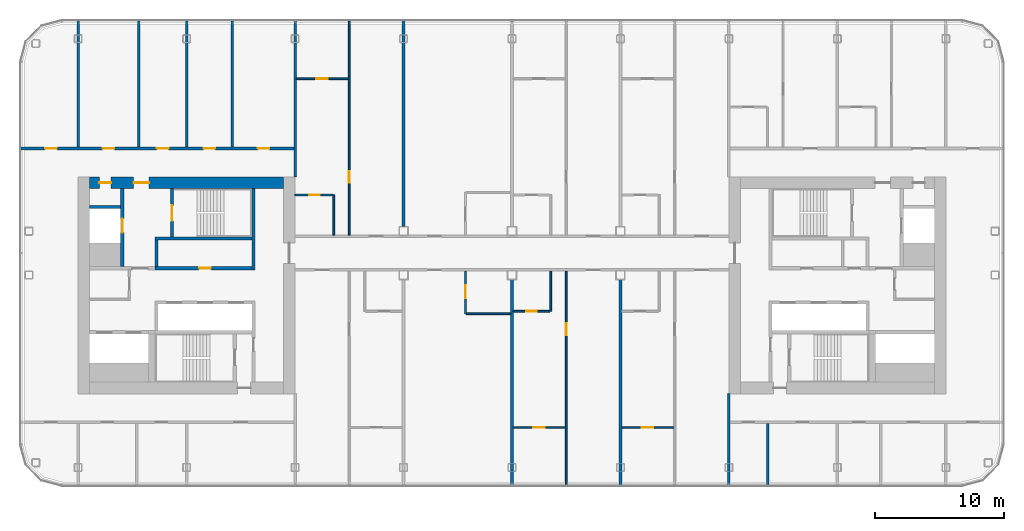
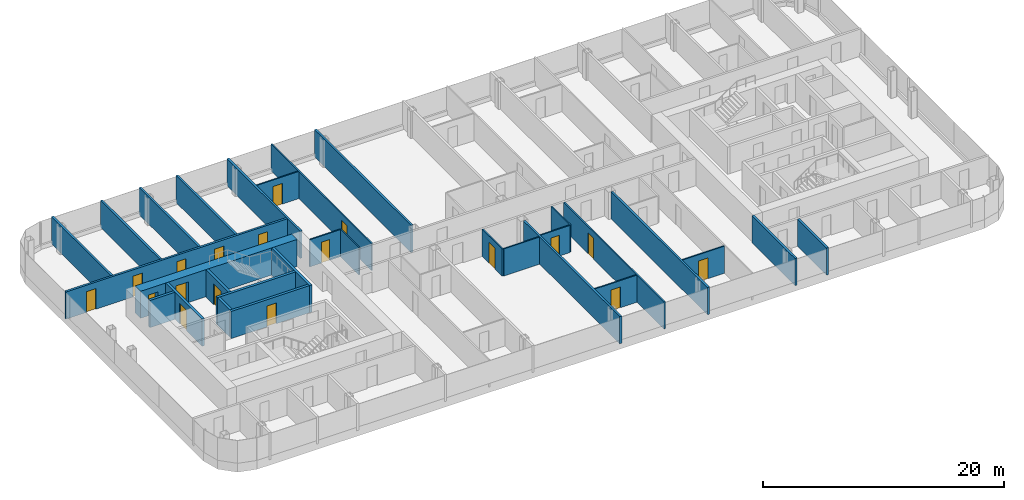
# One storey, part 14 of 26: 30 walls, 18 doors, 18 openings.
"""IFC4 building model written with IfcOpenShell, lengths in metres."""

from ifc_helpers import new_model, si_unit, direction, frame, frame_2d, origin, place, context, subcontext, project, spatial, rectangle, extrude, material, layer, layer_set, type_object, element, fill, save


model = new_model("IFC4")

# Units and contexts
model_context = context("Model", 3, precision=1e-05, world=origin(), true_north=direction((0.0, 1.0)))
body_context = subcontext(model_context, "Body", "Model", "MODEL_VIEW")
ifc_project = project(units=[si_unit("LENGTHUNIT", "METRE"), si_unit("AREAUNIT", "SQUARE_METRE"), si_unit("VOLUMEUNIT", "CUBIC_METRE"), si_unit("PLANEANGLEUNIT", "RADIAN"), si_unit("MASSUNIT", "GRAM", prefix="KILO")], contexts=[model_context])

# Site, building, storey
site_placement = place(None, origin())
site = spatial("IfcSite", under=ifc_project, at=site_placement, CompositionType="ELEMENT")
building_placement = place(site_placement, origin())
building = spatial("IfcBuilding", under=site, at=building_placement, Name="Hakoniwa Tower and Hamabe Station Hall", CompositionType="ELEMENT")
storey_placement = place(building_placement, frame((0.0, 0.0, 199.39990234375)))
storey = spatial("IfcBuildingStorey", under=building, at=storey_placement, Name="L56", CompositionType="ELEMENT", Elevation=199.39990234375)

# Wall
ifc_material_1 = material(Name="Gypsum board partition", Category="gypsum")
ifc_layer_1 = layer(ifc_material_1, 0.125)
ifc_layer_set_1 = layer_set([ifc_layer_1], Name="Bathroom Partition 125")
wall_type_1 = type_object("IfcWallType", Name="Bathroom Partition 125", PredefinedType="PARTITIONING", material=ifc_layer_set_1)
wall_1_placement = place(storey_placement, frame((-3.53759765625, -2.199951171875, 0.0), z_axis=(0.0, 0.0, 1.0), x_axis=(1.0, 0.0, 0.0)))
element("IfcWall", 1, at=wall_1_placement, inside=storey, type_object=wall_type_1, Name="GW-L56-006", PredefinedType="PARTITIONING", context=body_context, shape_type="SweptSolid", body=[
    extrude(rectangle(XDim=3.4375, YDim=0.125, at=frame_2d((1.71875, 0.0))), origin(), (0.0, 0.0, 1.0), 2.75),
])

# Wall, opening, door
wall_2_placement = place(storey_placement, frame((0.10009765625, -2.0, 0.0), z_axis=(0.0, 0.0, 1.0), x_axis=(1.0, 0.0, 0.0)))
wall_2 = element("IfcWall", 2, at=wall_2_placement, inside=storey, type_object=wall_type_1, Name="GW-L56-008", PredefinedType="PARTITIONING", context=body_context, shape_type="SweptSolid", body=[
    extrude(rectangle(XDim=2.83740234375, YDim=0.125, at=frame_2d((1.418701171875, 0.0))), origin(), (0.0, 0.0, 1.0), 2.75),
])
opening_1_placement = place(wall_2_placement, frame((1.0, 0.0, 0.0)))
opening_1 = element("IfcOpeningElement", 3, at=opening_1_placement, cuts=wall_2, Name="Opening GD-G4E0-14", PredefinedType="OPENING", context=body_context, shape_type="SweptSolid", body=[
    extrude(rectangle(XDim=0.800048828125, YDim=2.10009765625, at=frame_2d((0.39990234375, 1.050048828125))), frame((0.0, 0.072509765625, 0.0), z_axis=(0.0, -1.0, 0.0), x_axis=(1.0, 0.0, 0.0)), (0.0, 0.0, 1.0), 0.14501953125),
])
ifc_material_2 = material(Name="Timber door leaf", Category="wood")
door_type_1 = type_object("IfcDoorType", Name="Bathroom Door 800", OperationType="SINGLE_SWING_LEFT", PredefinedType="DOOR", material=ifc_material_2)
door_1_placement = place(opening_1_placement, origin())
door_1 = element("IfcDoor", 4, at=door_1_placement, inside=storey, type_object=door_type_1, Name="Door GD-G4E0-14", OperationType="SINGLE_SWING_LEFT", OverallHeight=2.10009765625, OverallWidth=0.800048828125, PredefinedType="DOOR", context=body_context, shape_type="SweptSolid", body=[
    extrude(rectangle(XDim=0.800048828125, YDim=2.10009765625, at=frame_2d((0.39990234375, 1.050048828125))), frame((0.0, 0.02490234375, 0.0), z_axis=(0.0, -1.0, 0.0), x_axis=(1.0, 0.0, 0.0)), (0.0, 0.0, 1.0), 0.050048828125),
])
fill(opening_1, door_1)

wall_3_placement = place(storey_placement, frame((-16.81005859375, 7.0, 0.0), z_axis=(0.0, 0.0, 1.0), x_axis=(1.0, 0.0, 0.0)))
wall_3 = element("IfcWall", 5, at=wall_3_placement, inside=storey, type_object=wall_type_1, Name="GW-L56-012", PredefinedType="PARTITIONING", context=body_context, shape_type="SweptSolid", body=[
    extrude(rectangle(XDim=2.947509765625, YDim=0.125, at=frame_2d((1.4736328125, 0.0))), origin(), (0.0, 0.0, 1.0), 2.75),
])
opening_2_placement = place(wall_3_placement, frame((1.110107421875, 0.0, 0.0)))
opening_2 = element("IfcOpeningElement", 6, at=opening_2_placement, cuts=wall_3, Name="Opening GD-G4E0-24", PredefinedType="OPENING", context=body_context, shape_type="SweptSolid", body=[
    extrude(rectangle(XDim=0.800048828125, YDim=2.10009765625, at=frame_2d((0.39990234375, 1.050048828125))), frame((0.0, 0.072509765625, 0.0), z_axis=(0.0, -1.0, 0.0), x_axis=(1.0, 0.0, 0.0)), (0.0, 0.0, 1.0), 0.14501953125),
])
door_2_placement = place(opening_2_placement, origin())
door_2 = element("IfcDoor", 7, at=door_2_placement, inside=storey, type_object=door_type_1, Name="Door GD-G4E0-24", OperationType="SINGLE_SWING_RIGHT", OverallHeight=2.10009765625, OverallWidth=0.800048828125, PredefinedType="DOOR", context=body_context, shape_type="SweptSolid", body=[
    extrude(rectangle(XDim=0.800048828125, YDim=2.10009765625, at=frame_2d((0.39990234375, 1.050048828125))), frame((0.0, 0.02490234375, 0.0), z_axis=(0.0, -1.0, 0.0), x_axis=(1.0, 0.0, 0.0)), (0.0, 0.0, 1.0), 0.050048828125),
])
fill(opening_2, door_2)

# Wall
wall_4_placement = place(storey_placement, frame((-13.800048828125, 3.89990234375, 0.0), z_axis=(0.0, 0.0, 1.0), x_axis=(0.0, 1.0, 0.0)))
element("IfcWall", 8, at=wall_4_placement, inside=storey, type_object=wall_type_1, Name="GW-L56-032", PredefinedType="PARTITIONING", context=body_context, shape_type="SweptSolid", body=[
    extrude(rectangle(XDim=3.10009765625, YDim=0.125, at=frame_2d((1.550048828125, 0.0))), origin(), (0.0, 0.0, 1.0), 2.75),
])

# Wall, opening, door
wall_5_placement = place(storey_placement, frame((-3.60009765625, -2.199951171875, 0.0), z_axis=(0.0, 0.0, 1.0), x_axis=(0.0, 1.0, 0.0)))
wall_5 = element("IfcWall", 9, at=wall_5_placement, inside=storey, type_object=wall_type_1, Name="GW-L56-038", PredefinedType="PARTITIONING", context=body_context, shape_type="SweptSolid", body=[
    extrude(rectangle(XDim=3.300048828125, YDim=0.125, at=frame_2d((1.64990234375, 0.0))), origin(), (0.0, 0.0, 1.0), 2.75),
])
opening_3_placement = place(wall_5_placement, frame((1.199951171875, 0.0, 0.0)))
opening_3 = element("IfcOpeningElement", 10, at=opening_3_placement, cuts=wall_5, Name="Opening GD-G4E0-42", PredefinedType="OPENING", context=body_context, shape_type="SweptSolid", body=[
    extrude(rectangle(XDim=1.0, YDim=2.10009765625, at=frame_2d((0.5, 1.050048828125))), frame((0.0, 0.072509765625, 0.0), z_axis=(0.0, -1.0, 0.0), x_axis=(1.0, 0.0, 0.0)), (0.0, 0.0, 1.0), 0.14501953125),
])
ifc_material_3 = material(Name="Timber door leaf", Category="wood")
door_type_2 = type_object("IfcDoorType", Name="Accessible Bathroom Door 1000", OperationType="SINGLE_SWING_LEFT", PredefinedType="DOOR", material=ifc_material_3)
door_3_placement = place(opening_3_placement, origin())
door_3 = element("IfcDoor", 11, at=door_3_placement, inside=storey, type_object=door_type_2, Name="Door GD-G4E0-42", OperationType="SINGLE_SWING_LEFT", OverallHeight=2.10009765625, OverallWidth=1.0, PredefinedType="DOOR", context=body_context, shape_type="SweptSolid", body=[
    extrude(rectangle(XDim=1.0, YDim=2.10009765625, at=frame_2d((0.5, 1.050048828125))), frame((0.0, 0.02490234375, 0.0), z_axis=(0.0, -1.0, 0.0), x_axis=(1.0, 0.0, 0.0)), (0.0, 0.0, 1.0), 0.050048828125),
])
fill(opening_3, door_3)

# Wall
wall_6_placement = place(storey_placement, frame((3.0, -2.0, 0.0), z_axis=(0.0, 0.0, 1.0), x_axis=(0.0, 1.0, 0.0)))
element("IfcWall", 12, at=wall_6_placement, inside=storey, type_object=wall_type_1, Name="GW-L56-042", PredefinedType="PARTITIONING", context=body_context, shape_type="SweptSolid", body=[
    extrude(rectangle(XDim=3.10009765625, YDim=0.125, at=frame_2d((1.550048828125, 0.0))), origin(), (0.0, 0.0, 1.0), 2.75),
])

# Wall, openings, doors
ifc_material_4 = material(Name="Concrete C60", Category="concrete")
ifc_layer_2 = layer(ifc_material_4, 0.89990234375)
ifc_layer_set_2 = layer_set([ifc_layer_2], Name="CORE WALL 900 C60")
wall_type_2 = type_object("IfcWallType", Name="CORE WALL 900 C60", PredefinedType="SHEAR", material=ifc_layer_set_2)
wall_7_placement = place(storey_placement, frame((-32.699951171875, 7.949951171875, 0.0), z_axis=(0.0, 0.0, 1.0), x_axis=(1.0, 0.0, 0.0)))
wall_7 = element("IfcWall", 13, at=wall_7_placement, inside=storey, type_object=wall_type_2, Name="Core wall NORTH west", PredefinedType="SHEAR", context=body_context, shape_type="SweptSolid", body=[
    extrude(rectangle(XDim=15.0, YDim=0.89990234375, at=frame_2d((7.5, 0.0))), origin(), (0.0, 0.0, 1.0), 2.75),
])
opening_4_placement = place(wall_7_placement, frame((3.39990234375, 0.0, 0.0)))
opening_4 = element("IfcOpeningElement", 14, at=opening_4_placement, cuts=wall_7, Name="Opening CD-W-FN1-12", PredefinedType="OPENING", context=body_context, shape_type="SweptSolid", body=[
    extrude(rectangle(XDim=1.199951171875, YDim=2.10009765625, at=frame_2d((0.60009765625, 1.050048828125))), frame((0.0, 0.4599609375, 0.0), z_axis=(0.0, -1.0, 0.0), x_axis=(1.0, 0.0, 0.0)), (0.0, 0.0, 1.0), 0.919921875),
])
opening_5_placement = place(wall_7_placement, frame((0.75, 0.0, 0.0)))
opening_5 = element("IfcOpeningElement", 15, at=opening_5_placement, cuts=wall_7, Name="Opening CD-W-FN2-9", PredefinedType="OPENING", context=body_context, shape_type="SweptSolid", body=[
    extrude(rectangle(XDim=0.89990234375, YDim=2.10009765625, at=frame_2d((0.449951171875, 1.050048828125))), frame((0.0, 0.4599609375, 0.0), z_axis=(0.0, -1.0, 0.0), x_axis=(1.0, 0.0, 0.0)), (0.0, 0.0, 1.0), 0.919921875),
])
ifc_material_5 = material(Name="Steel fire door", Category="steel")
door_type_3 = type_object("IfcDoorType", Name="CORE DOOR 1200 FD60", OperationType="DOUBLE_DOOR_SINGLE_SWING", PredefinedType="DOOR", material=ifc_material_5)
door_4_placement = place(opening_4_placement, origin())
door_4 = element("IfcDoor", 16, at=door_4_placement, inside=storey, type_object=door_type_3, Name="Stair vestibule door to the fire-fighting lobby", OperationType="DOUBLE_DOOR_SINGLE_SWING", OverallHeight=2.10009765625, OverallWidth=1.199951171875, PredefinedType="DOOR", context=body_context, shape_type="SweptSolid", body=[
    extrude(rectangle(XDim=1.199951171875, YDim=2.10009765625, at=frame_2d((0.60009765625, 1.050048828125))), frame((0.0, 0.02490234375, 0.0), z_axis=(0.0, -1.0, 0.0), x_axis=(1.0, 0.0, 0.0)), (0.0, 0.0, 1.0), 0.050048828125),
])
fill(opening_4, door_4)
ifc_material_6 = material(Name="Steel fire door", Category="steel")
door_type_4 = type_object("IfcDoorType", Name="CORE DOOR 900 FD30", OperationType="NOTDEFINED", PredefinedType="DOOR", material=ifc_material_6)
door_5_placement = place(opening_5_placement, origin())
door_5 = element("IfcDoor", 17, at=door_5_placement, inside=storey, type_object=door_type_4, Name="Riser access door", OperationType="SINGLE_SWING_RIGHT", OverallHeight=2.10009765625, OverallWidth=0.89990234375, PredefinedType="DOOR", context=body_context, shape_type="SweptSolid", body=[
    extrude(rectangle(XDim=0.89990234375, YDim=2.10009765625, at=frame_2d((0.449951171875, 1.050048828125))), frame((0.0, 0.02490234375, 0.0), z_axis=(0.0, -1.0, 0.0), x_axis=(1.0, 0.0, 0.0)), (0.0, 0.0, 1.0), 0.050048828125),
])
fill(opening_5, door_5)

# Wall
ifc_material_7 = material(Name="Concrete C60", Category="concrete")
ifc_layer_3 = layer(ifc_material_7, 0.25)
ifc_layer_set_3 = layer_set([ifc_layer_3], Name="CORE WEB WALL 250 C60")
wall_type_3 = type_object("IfcWallType", Name="CORE WEB WALL 250 C60", PredefinedType="SHEAR", material=ifc_layer_set_3)
wall_8_placement = place(storey_placement, frame((-20.02490234375, 1.199951171875, 0.0), z_axis=(0.0, 0.0, 1.0), x_axis=(0.0, 1.0, 0.0)))
element("IfcWall", 18, at=wall_8_placement, inside=storey, type_object=wall_type_3, Name="Core wall W1N west", PredefinedType="SHEAR", context=body_context, shape_type="SweptSolid", body=[
    extrude(rectangle(XDim=6.300048828125, YDim=0.25, at=frame_2d((3.14990234375, 0.0))), origin(), (0.0, 0.0, 1.0), 2.75),
])

# Wall, opening, door
wall_9_placement = place(storey_placement, frame((-27.64990234375, 1.324951171875, 0.0), z_axis=(0.0, 0.0, 1.0), x_axis=(1.0, 0.0, 0.0)))
wall_9 = element("IfcWall", 19, at=wall_9_placement, inside=storey, type_object=wall_type_3, Name="Core wall NF west", PredefinedType="SHEAR", context=body_context, shape_type="SweptSolid", body=[
    extrude(rectangle(XDim=7.5, YDim=0.25, at=frame_2d((3.75, 0.0))), origin(), (0.0, 0.0, 1.0), 2.75),
])
opening_6_placement = place(wall_9_placement, frame((3.425048828125, 0.0, 0.0)))
opening_6 = element("IfcOpeningElement", 20, at=opening_6_placement, cuts=wall_9, Name="Opening CD-W-FRLR0-9", PredefinedType="OPENING", context=body_context, shape_type="SweptSolid", body=[
    extrude(rectangle(XDim=0.89990234375, YDim=2.10009765625, at=frame_2d((0.449951171875, 1.050048828125))), frame((0.0, 0.135009765625, 0.0), z_axis=(0.0, -1.0, 0.0), x_axis=(1.0, 0.0, 0.0)), (0.0, 0.0, 1.0), 0.27001953125),
])
door_6_placement = place(opening_6_placement, origin())
door_6 = element("IfcDoor", 21, at=door_6_placement, inside=storey, type_object=door_type_4, Name="Store room door", OperationType="SINGLE_SWING_RIGHT", OverallHeight=2.10009765625, OverallWidth=0.89990234375, PredefinedType="DOOR", context=body_context, shape_type="SweptSolid", body=[
    extrude(rectangle(XDim=0.89990234375, YDim=2.10009765625, at=frame_2d((0.449951171875, 1.050048828125))), frame((0.0, 0.02490234375, 0.0), z_axis=(0.0, -1.0, 0.0), x_axis=(1.0, 0.0, 0.0)), (0.0, 0.0, 1.0), 0.050048828125),
])
fill(opening_6, door_6)

# Walls
wall_10_placement = place(storey_placement, frame((-27.52490234375, 1.449951171875, 0.0), z_axis=(0.0, 0.0, 1.0), x_axis=(0.0, 1.0, 0.0)))
element("IfcWall", 22, at=wall_10_placement, inside=storey, type_object=wall_type_3, Name="Core wall NE west", PredefinedType="SHEAR", context=body_context, shape_type="SweptSolid", body=[
    extrude(rectangle(XDim=2.050048828125, YDim=0.25, at=frame_2d((1.02490234375, 0.0))), origin(), (0.0, 0.0, 1.0), 2.75),
])
wall_11_placement = place(storey_placement, frame((-27.64990234375, 3.625, 0.0), z_axis=(0.0, 0.0, 1.0), x_axis=(1.0, 0.0, 0.0)))
element("IfcWall", 23, at=wall_11_placement, inside=storey, type_object=wall_type_3, Name="Core wall NR west", PredefinedType="SHEAR", context=body_context, shape_type="SweptSolid", body=[
    extrude(rectangle(XDim=7.5, YDim=0.25, at=frame_2d((3.75, 0.0))), origin(), (0.0, 0.0, 1.0), 2.75),
])

# Wall, opening, door
wall_12_placement = place(storey_placement, frame((-26.324951171875, 3.75, 0.0), z_axis=(0.0, 0.0, 1.0), x_axis=(0.0, 1.0, 0.0)))
wall_12 = element("IfcWall", 24, at=wall_12_placement, inside=storey, type_object=wall_type_3, Name="Core wall NSE west", PredefinedType="SHEAR", context=body_context, shape_type="SweptSolid", body=[
    extrude(rectangle(XDim=3.75, YDim=0.25, at=frame_2d((1.875, 0.0))), origin(), (0.0, 0.0, 1.0), 2.75),
])
opening_7_placement = place(wall_12_placement, frame((1.25, 0.0, 0.0)))
opening_7 = element("IfcOpeningElement", 25, at=opening_7_placement, cuts=wall_12, Name="Opening CD-W-SN-12", PredefinedType="OPENING", context=body_context, shape_type="SweptSolid", body=[
    extrude(rectangle(XDim=1.199951171875, YDim=2.10009765625, at=frame_2d((0.60009765625, 1.050048828125))), frame((0.0, 0.135009765625, 0.0), z_axis=(0.0, -1.0, 0.0), x_axis=(1.0, 0.0, 0.0)), (0.0, 0.0, 1.0), 0.27001953125),
])
door_7_placement = place(opening_7_placement, origin())
door_7 = element("IfcDoor", 26, at=door_7_placement, inside=storey, type_object=door_type_3, Name="Escape stair door", OperationType="DOUBLE_DOOR_SINGLE_SWING", OverallHeight=2.10009765625, OverallWidth=1.199951171875, PredefinedType="DOOR", context=body_context, shape_type="SweptSolid", body=[
    extrude(rectangle(XDim=1.199951171875, YDim=2.10009765625, at=frame_2d((0.60009765625, 1.050048828125))), frame((0.0, 0.02490234375, 0.0), z_axis=(0.0, -1.0, 0.0), x_axis=(1.0, 0.0, 0.0)), (0.0, 0.0, 1.0), 0.050048828125),
])
fill(opening_7, door_7)

wall_13_placement = place(storey_placement, frame((-30.175048828125, 1.449951171875, 0.0), z_axis=(0.0, 0.0, 1.0), x_axis=(0.0, 1.0, 0.0)))
wall_13 = element("IfcWall", 27, at=wall_13_placement, inside=storey, type_object=wall_type_3, Name="Core wall FFF west", PredefinedType="SHEAR", context=body_context, shape_type="SweptSolid", body=[
    extrude(rectangle(XDim=6.050048828125, YDim=0.25, at=frame_2d((3.02490234375, 0.0))), origin(), (0.0, 0.0, 1.0), 2.75),
])
opening_8_placement = place(wall_13_placement, frame((2.625, 0.0, 0.0)))
opening_8 = element("IfcOpeningElement", 28, at=opening_8_placement, cuts=wall_13, Name="Opening LD-FF1", PredefinedType="OPENING", context=body_context, shape_type="SweptSolid", body=[
    extrude(rectangle(XDim=1.10009765625, YDim=2.10009765625, at=frame_2d((0.550048828125, 1.050048828125))), frame((0.0, 0.135009765625, 0.0), z_axis=(0.0, -1.0, 0.0), x_axis=(1.0, 0.0, 0.0)), (0.0, 0.0, 1.0), 0.27001953125),
])
ifc_material_8 = material(Name="Stainless steel SUS304", Category="steel")
door_type_5 = type_object("IfcDoorType", Name="LIFT LANDING DOOR 1100 FD60", OperationType="DOUBLE_DOOR_SLIDING", PredefinedType="DOOR", material=ifc_material_8)
door_8_placement = place(opening_8_placement, origin())
door_8 = element("IfcDoor", 29, at=door_8_placement, inside=storey, type_object=door_type_5, Name="Lift landing door FF1 L56", OperationType="DOUBLE_DOOR_SLIDING", OverallHeight=2.10009765625, OverallWidth=1.10009765625, PredefinedType="DOOR", context=body_context, shape_type="SweptSolid", body=[
    extrude(rectangle(XDim=1.10009765625, YDim=2.10009765625, at=frame_2d((0.550048828125, 1.050048828125))), frame((0.0, 0.02490234375, 0.0), z_axis=(0.0, -1.0, 0.0), x_axis=(1.0, 0.0, 0.0)), (0.0, 0.0, 1.0), 0.050048828125),
])
fill(opening_8, door_8)

# Wall
wall_14_placement = place(storey_placement, frame((-32.699951171875, 6.074951171875, 0.0), z_axis=(0.0, 0.0, 1.0), x_axis=(1.0, 0.0, 0.0)))
element("IfcWall", 30, at=wall_14_placement, inside=storey, type_object=wall_type_3, Name="Core wall C2 west", PredefinedType="SHEAR", context=body_context, shape_type="SweptSolid", body=[
    extrude(rectangle(XDim=2.39990234375, YDim=0.25, at=frame_2d((1.199951171875, 0.0))), origin(), (0.0, 0.0, 1.0), 2.75),
])

# Wall, openings, doors
ifc_material_9 = material(Name="Fire-rated gypsum board partition", Category="gypsum")
ifc_layer_4 = layer(ifc_material_9, 0.199951171875)
ifc_layer_set_4 = layer_set([ifc_layer_4], Name="Corridor Wall 200")
wall_type_4 = type_object("IfcWallType", Name="Corridor Wall 200", PredefinedType="PARTITIONING", material=ifc_layer_set_4)
wall_15_placement = place(storey_placement, frame((-38.10009765625, 10.60009765625, 0.0), z_axis=(0.0, 0.0, 1.0), x_axis=(1.0, 0.0, 0.0)))
wall_15 = element("IfcWall", 31, at=wall_15_placement, inside=storey, type_object=wall_type_4, Name="GW-L56-016", PredefinedType="PARTITIONING", context=body_context, shape_type="SweptSolid", body=[
    extrude(rectangle(XDim=21.300048828125, YDim=0.199951171875, at=frame_2d((10.64990234375, 0.0))), origin(), (0.0, 0.0, 1.0), 2.75),
])
opening_9_placement = place(wall_15_placement, frame((1.949951171875, 0.0, 0.0)))
opening_9 = element("IfcOpeningElement", 32, at=opening_9_placement, cuts=wall_15, Name="Opening GD-G4E0-27", PredefinedType="OPENING", context=body_context, shape_type="SweptSolid", body=[
    extrude(rectangle(XDim=0.89990234375, YDim=2.10009765625, at=frame_2d((0.449951171875, 1.050048828125))), frame((0.0, 0.10986328125, 0.0), z_axis=(0.0, -1.0, 0.0), x_axis=(1.0, 0.0, 0.0)), (0.0, 0.0, 1.0), 0.219970703125),
])
opening_10_placement = place(wall_15_placement, frame((6.39990234375, 0.0, 0.0)))
opening_10 = element("IfcOpeningElement", 33, at=opening_10_placement, cuts=wall_15, Name="Opening GD-G4E0-28", PredefinedType="OPENING", context=body_context, shape_type="SweptSolid", body=[
    extrude(rectangle(XDim=0.89990234375, YDim=2.10009765625, at=frame_2d((0.449951171875, 1.050048828125))), frame((0.0, 0.10986328125, 0.0), z_axis=(0.0, -1.0, 0.0), x_axis=(1.0, 0.0, 0.0)), (0.0, 0.0, 1.0), 0.219970703125),
])
opening_11_placement = place(wall_15_placement, frame((10.60009765625, 0.0, 0.0)))
opening_11 = element("IfcOpeningElement", 34, at=opening_11_placement, cuts=wall_15, Name="Opening GD-G4E0-29", PredefinedType="OPENING", context=body_context, shape_type="SweptSolid", body=[
    extrude(rectangle(XDim=0.89990234375, YDim=2.10009765625, at=frame_2d((0.449951171875, 1.050048828125))), frame((0.0, 0.10986328125, 0.0), z_axis=(0.0, -1.0, 0.0), x_axis=(1.0, 0.0, 0.0)), (0.0, 0.0, 1.0), 0.219970703125),
])
opening_12_placement = place(wall_15_placement, frame((14.215087890625, 0.0, 0.0)))
opening_12 = element("IfcOpeningElement", 35, at=opening_12_placement, cuts=wall_15, Name="Opening GD-G4E0-30", PredefinedType="OPENING", context=body_context, shape_type="SweptSolid", body=[
    extrude(rectangle(XDim=0.89990234375, YDim=2.10009765625, at=frame_2d((0.449951171875, 1.050048828125))), frame((0.0, 0.10986328125, 0.0), z_axis=(0.0, -1.0, 0.0), x_axis=(1.0, 0.0, 0.0)), (0.0, 0.0, 1.0), 0.219970703125),
])
opening_13_placement = place(wall_15_placement, frame((18.4150390625, 0.0, 0.0)))
opening_13 = element("IfcOpeningElement", 36, at=opening_13_placement, cuts=wall_15, Name="Opening GD-G4E0-31", PredefinedType="OPENING", context=body_context, shape_type="SweptSolid", body=[
    extrude(rectangle(XDim=0.89990234375, YDim=2.10009765625, at=frame_2d((0.449951171875, 1.050048828125))), frame((0.0, 0.10986328125, 0.0), z_axis=(0.0, -1.0, 0.0), x_axis=(1.0, 0.0, 0.0)), (0.0, 0.0, 1.0), 0.219970703125),
])
ifc_material_10 = material(Name="Timber door leaf", Category="wood")
door_type_6 = type_object("IfcDoorType", Name="Service Door 900", OperationType="SINGLE_SWING_LEFT", PredefinedType="DOOR", material=ifc_material_10)
door_9_placement = place(opening_9_placement, origin())
door_9 = element("IfcDoor", 37, at=door_9_placement, inside=storey, type_object=door_type_6, Name="Door GD-G4E0-27", OperationType="SINGLE_SWING_LEFT", OverallHeight=2.10009765625, OverallWidth=0.89990234375, PredefinedType="DOOR", context=body_context, shape_type="SweptSolid", body=[
    extrude(rectangle(XDim=0.89990234375, YDim=2.10009765625, at=frame_2d((0.449951171875, 1.050048828125))), frame((0.0, 0.02490234375, 0.0), z_axis=(0.0, -1.0, 0.0), x_axis=(1.0, 0.0, 0.0)), (0.0, 0.0, 1.0), 0.050048828125),
])
fill(opening_9, door_9)
door_10_placement = place(opening_10_placement, origin())
door_10 = element("IfcDoor", 38, at=door_10_placement, inside=storey, type_object=door_type_6, Name="Door GD-G4E0-28", OperationType="SINGLE_SWING_RIGHT", OverallHeight=2.10009765625, OverallWidth=0.89990234375, PredefinedType="DOOR", context=body_context, shape_type="SweptSolid", body=[
    extrude(rectangle(XDim=0.89990234375, YDim=2.10009765625, at=frame_2d((0.449951171875, 1.050048828125))), frame((0.0, 0.02490234375, 0.0), z_axis=(0.0, -1.0, 0.0), x_axis=(1.0, 0.0, 0.0)), (0.0, 0.0, 1.0), 0.050048828125),
])
fill(opening_10, door_10)
door_11_placement = place(opening_11_placement, origin())
door_11 = element("IfcDoor", 39, at=door_11_placement, inside=storey, type_object=door_type_6, Name="Door GD-G4E0-29", OperationType="SINGLE_SWING_LEFT", OverallHeight=2.10009765625, OverallWidth=0.89990234375, PredefinedType="DOOR", context=body_context, shape_type="SweptSolid", body=[
    extrude(rectangle(XDim=0.89990234375, YDim=2.10009765625, at=frame_2d((0.449951171875, 1.050048828125))), frame((0.0, 0.02490234375, 0.0), z_axis=(0.0, -1.0, 0.0), x_axis=(1.0, 0.0, 0.0)), (0.0, 0.0, 1.0), 0.050048828125),
])
fill(opening_11, door_11)
door_12_placement = place(opening_12_placement, origin())
door_12 = element("IfcDoor", 40, at=door_12_placement, inside=storey, type_object=door_type_6, Name="Door GD-G4E0-30", OperationType="SINGLE_SWING_LEFT", OverallHeight=2.10009765625, OverallWidth=0.89990234375, PredefinedType="DOOR", context=body_context, shape_type="SweptSolid", body=[
    extrude(rectangle(XDim=0.89990234375, YDim=2.10009765625, at=frame_2d((0.449951171875, 1.050048828125))), frame((0.0, 0.02490234375, 0.0), z_axis=(0.0, -1.0, 0.0), x_axis=(1.0, 0.0, 0.0)), (0.0, 0.0, 1.0), 0.050048828125),
])
fill(opening_12, door_12)
door_13_placement = place(opening_13_placement, origin())
door_13 = element("IfcDoor", 41, at=door_13_placement, inside=storey, type_object=door_type_6, Name="Door GD-G4E0-31", OperationType="SINGLE_SWING_RIGHT", OverallHeight=2.10009765625, OverallWidth=0.89990234375, PredefinedType="DOOR", context=body_context, shape_type="SweptSolid", body=[
    extrude(rectangle(XDim=0.89990234375, YDim=2.10009765625, at=frame_2d((0.449951171875, 1.050048828125))), frame((0.0, 0.02490234375, 0.0), z_axis=(0.0, -1.0, 0.0), x_axis=(1.0, 0.0, 0.0)), (0.0, 0.0, 1.0), 0.050048828125),
])
fill(opening_13, door_13)

# Walls
ifc_material_11 = material(Name="Fire-rated gypsum board partition", Category="gypsum")
ifc_layer_5 = layer(ifc_material_11, 0.199951171875)
ifc_layer_set_5 = layer_set([ifc_layer_5], Name="Party Wall 200")
wall_type_5 = type_object("IfcWallType", Name="Party Wall 200", PredefinedType="PARTITIONING", material=ifc_layer_set_5)
for number, where, z_axis, x_axis, name in (
    (42, (-33.60009765625, 10.699951171875, 0.0), (0.0, 0.0, 1.0), (0.0, 1.0, 0.0), "GW-L56-024"),
    (43, (-28.89990234375, 10.699951171875, 0.0), (0.0, 0.0, 1.0), (0.0, 1.0, 0.0), "GW-L56-026"),
    (44, (-25.199951171875, 10.699951171875, 0.0), (0.0, 0.0, 1.0), (0.0, 1.0, 0.0), "GW-L56-028"),
    (45, (-21.669921875, 10.699951171875, 0.0), (0.0, 0.0, 1.0), (0.0, 1.0, 0.0), "GW-L56-029"),
):
    element("IfcWall", number, at=place(storey_placement, frame(where, z_axis=z_axis, x_axis=x_axis)), inside=storey, type_object=wall_type_5, Name=name, PredefinedType="PARTITIONING", context=body_context, shape_type="SweptSolid", body=[
        extrude(rectangle(XDim=9.85009765625, YDim=0.199951171875, at=frame_2d((4.925048828125, 0.0))), origin(), (0.0, 0.0, 1.0), 2.75),
    ])
wall_16_placement = place(storey_placement, frame((-16.800048828125, 8.389892578125, 0.0), z_axis=(0.0, 0.0, 1.0), x_axis=(0.0, 1.0, 0.0)))
element("IfcWall", 46, at=wall_16_placement, inside=storey, type_object=wall_type_5, Name="GW-L56-031", PredefinedType="PARTITIONING", context=body_context, shape_type="SweptSolid", body=[
    extrude(rectangle(XDim=12.16015625, YDim=0.199951171875, at=frame_2d((6.080078125, 0.0))), origin(), (0.0, 0.0, 1.0), 2.75),
])
for number, where, z_axis, x_axis, name in (
    (47, (-8.39990234375, 4.5400390625, 0.0), (0.0, 0.0, 1.0), (0.0, 1.0, 0.0), "GW-L56-037"),
    (48, (0.0, -15.550048828125, 0.0), (0.0, 0.0, 1.0), (0.0, 1.0, 0.0), "GW-L56-040"),
    (49, (8.39990234375, -15.550048828125, 0.0), (0.0, 0.0, 1.0), (0.0, 1.0, 0.0), "GW-L56-046"),
):
    element("IfcWall", number, at=place(storey_placement, frame(where, z_axis=z_axis, x_axis=x_axis)), inside=storey, type_object=wall_type_5, Name=name, PredefinedType="PARTITIONING", context=body_context, shape_type="SweptSolid", body=[
        extrude(rectangle(XDim=16.010009765625, YDim=0.199951171875, at=frame_2d((8.0048828125, 0.0))), origin(), (0.0, 0.0, 1.0), 2.75),
    ])
wall_17_placement = place(storey_placement, frame((16.800048828125, -15.550048828125, 0.0), z_axis=(0.0, 0.0, 1.0), x_axis=(0.0, 1.0, 0.0)))
element("IfcWall", 50, at=wall_17_placement, inside=storey, type_object=wall_type_5, Name="GW-L56-052", PredefinedType="PARTITIONING", context=body_context, shape_type="SweptSolid", body=[
    extrude(rectangle(XDim=7.16015625, YDim=0.199951171875, at=frame_2d((3.580078125, 0.0))), origin(), (0.0, 0.0, 1.0), 2.75),
])
wall_18_placement = place(storey_placement, frame((19.820068359375, -15.550048828125, 0.0), z_axis=(0.0, 0.0, 1.0), x_axis=(0.0, 1.0, 0.0)))
element("IfcWall", 51, at=wall_18_placement, inside=storey, type_object=wall_type_5, Name="GW-L56-055", PredefinedType="PARTITIONING", context=body_context, shape_type="SweptSolid", body=[
    extrude(rectangle(XDim=4.85009765625, YDim=0.199951171875, at=frame_2d((2.425048828125, 0.0))), origin(), (0.0, 0.0, 1.0), 2.75),
])

# Wall, opening, door
ifc_material_12 = material(Name="Gypsum board partition", Category="gypsum")
ifc_layer_6 = layer(ifc_material_12, 0.125)
ifc_layer_set_6 = layer_set([ifc_layer_6], Name="Room Partition 125")
wall_type_6 = type_object("IfcWallType", Name="Room Partition 125", PredefinedType="PARTITIONING", material=ifc_layer_set_6)
wall_19_placement = place(storey_placement, frame((0.10009765625, -11.0, 0.0), z_axis=(0.0, 0.0, 1.0), x_axis=(1.0, 0.0, 0.0)))
wall_19 = element("IfcWall", 52, at=wall_19_placement, inside=storey, type_object=wall_type_6, Name="GW-L56-002", PredefinedType="PARTITIONING", context=body_context, shape_type="SweptSolid", body=[
    extrude(rectangle(XDim=4.037353515625, YDim=0.125, at=frame_2d((2.0185546875, 0.0))), origin(), (0.0, 0.0, 1.0), 2.75),
])
opening_14_placement = place(wall_19_placement, frame((1.550048828125, 0.0, 0.0)))
opening_14 = element("IfcOpeningElement", 53, at=opening_14_placement, cuts=wall_19, Name="Opening GD-G4E0-02", PredefinedType="OPENING", context=body_context, shape_type="SweptSolid", body=[
    extrude(rectangle(XDim=0.89990234375, YDim=2.10009765625, at=frame_2d((0.449951171875, 1.050048828125))), frame((0.0, 0.072509765625, 0.0), z_axis=(0.0, -1.0, 0.0), x_axis=(1.0, 0.0, 0.0)), (0.0, 0.0, 1.0), 0.14501953125),
])
ifc_material_13 = material(Name="Timber door leaf", Category="wood")
door_type_7 = type_object("IfcDoorType", Name="Suite Interior Door 900", OperationType="SINGLE_SWING_LEFT", PredefinedType="DOOR", material=ifc_material_13)
door_14_placement = place(opening_14_placement, origin())
door_14 = element("IfcDoor", 54, at=door_14_placement, inside=storey, type_object=door_type_7, Name="Door GD-G4E0-02", OperationType="SINGLE_SWING_LEFT", OverallHeight=2.10009765625, OverallWidth=0.89990234375, PredefinedType="DOOR", context=body_context, shape_type="SweptSolid", body=[
    extrude(rectangle(XDim=0.89990234375, YDim=2.10009765625, at=frame_2d((0.449951171875, 1.050048828125))), frame((0.0, 0.02490234375, 0.0), z_axis=(0.0, -1.0, 0.0), x_axis=(1.0, 0.0, 0.0)), (0.0, 0.0, 1.0), 0.050048828125),
])
fill(opening_14, door_14)

wall_20_placement = place(storey_placement, frame((8.5, -11.0, 0.0), z_axis=(0.0, 0.0, 1.0), x_axis=(1.0, 0.0, 0.0)))
wall_20 = element("IfcWall", 55, at=wall_20_placement, inside=storey, type_object=wall_type_6, Name="GW-L56-003", PredefinedType="PARTITIONING", context=body_context, shape_type="SweptSolid", body=[
    extrude(rectangle(XDim=4.03759765625, YDim=0.125, at=frame_2d((2.018798828125, 0.0))), origin(), (0.0, 0.0, 1.0), 2.75),
])
opening_15_placement = place(wall_20_placement, frame((1.550048828125, 0.0, 0.0)))
opening_15 = element("IfcOpeningElement", 56, at=opening_15_placement, cuts=wall_20, Name="Opening GD-G4E0-03", PredefinedType="OPENING", context=body_context, shape_type="SweptSolid", body=[
    extrude(rectangle(XDim=0.89990234375, YDim=2.10009765625, at=frame_2d((0.449951171875, 1.050048828125))), frame((0.0, 0.072509765625, 0.0), z_axis=(0.0, -1.0, 0.0), x_axis=(1.0, 0.0, 0.0)), (0.0, 0.0, 1.0), 0.14501953125),
])
door_15_placement = place(opening_15_placement, origin())
door_15 = element("IfcDoor", 57, at=door_15_placement, inside=storey, type_object=door_type_7, Name="Door GD-G4E0-03", OperationType="SINGLE_SWING_RIGHT", OverallHeight=2.10009765625, OverallWidth=0.89990234375, PredefinedType="DOOR", context=body_context, shape_type="SweptSolid", body=[
    extrude(rectangle(XDim=0.89990234375, YDim=2.10009765625, at=frame_2d((0.449951171875, 1.050048828125))), frame((0.0, 0.02490234375, 0.0), z_axis=(0.0, -1.0, 0.0), x_axis=(1.0, 0.0, 0.0)), (0.0, 0.0, 1.0), 0.050048828125),
])
fill(opening_15, door_15)

wall_21_placement = place(storey_placement, frame((-16.699951171875, 16.0, 0.0), z_axis=(0.0, 0.0, 1.0), x_axis=(1.0, 0.0, 0.0)))
wall_21 = element("IfcWall", 58, at=wall_21_placement, inside=storey, type_object=wall_type_6, Name="GW-L56-020", PredefinedType="PARTITIONING", context=body_context, shape_type="SweptSolid", body=[
    extrude(rectangle(XDim=4.037353515625, YDim=0.125, at=frame_2d((2.0185546875, 0.0))), origin(), (0.0, 0.0, 1.0), 2.75),
])
opening_16_placement = place(wall_21_placement, frame((1.550048828125, 0.0, 0.0)))
opening_16 = element("IfcOpeningElement", 59, at=opening_16_placement, cuts=wall_21, Name="Opening GD-G4E0-37", PredefinedType="OPENING", context=body_context, shape_type="SweptSolid", body=[
    extrude(rectangle(XDim=0.89990234375, YDim=2.10009765625, at=frame_2d((0.449951171875, 1.050048828125))), frame((0.0, 0.072509765625, 0.0), z_axis=(0.0, -1.0, 0.0), x_axis=(1.0, 0.0, 0.0)), (0.0, 0.0, 1.0), 0.14501953125),
])
door_16_placement = place(opening_16_placement, origin())
door_16 = element("IfcDoor", 60, at=door_16_placement, inside=storey, type_object=door_type_7, Name="Door GD-G4E0-37", OperationType="SINGLE_SWING_RIGHT", OverallHeight=2.10009765625, OverallWidth=0.89990234375, PredefinedType="DOOR", context=body_context, shape_type="SweptSolid", body=[
    extrude(rectangle(XDim=0.89990234375, YDim=2.10009765625, at=frame_2d((0.449951171875, 1.050048828125))), frame((0.0, 0.02490234375, 0.0), z_axis=(0.0, -1.0, 0.0), x_axis=(1.0, 0.0, 0.0)), (0.0, 0.0, 1.0), 0.050048828125),
])
fill(opening_16, door_16)

wall_22_placement = place(storey_placement, frame((-12.60009765625, 3.89990234375, 0.0), z_axis=(0.0, 0.0, 1.0), x_axis=(0.0, 1.0, 0.0)))
wall_22 = element("IfcWall", 61, at=wall_22_placement, inside=storey, type_object=wall_type_6, Name="GW-L56-034", PredefinedType="PARTITIONING", context=body_context, shape_type="SweptSolid", body=[
    extrude(rectangle(XDim=16.650146484375, YDim=0.125, at=frame_2d((8.3251953125, 0.0))), origin(), (0.0, 0.0, 1.0), 2.75),
])
opening_17_placement = place(wall_22_placement, frame((4.050048828125, 0.0, 0.0)))
opening_17 = element("IfcOpeningElement", 62, at=opening_17_placement, cuts=wall_22, Name="Opening GD-G4E0-41", PredefinedType="OPENING", context=body_context, shape_type="SweptSolid", body=[
    extrude(rectangle(XDim=0.89990234375, YDim=2.10009765625, at=frame_2d((0.449951171875, 1.050048828125))), frame((0.0, 0.072509765625, 0.0), z_axis=(0.0, -1.0, 0.0), x_axis=(1.0, 0.0, 0.0)), (0.0, 0.0, 1.0), 0.14501953125),
])
door_17_placement = place(opening_17_placement, origin())
door_17 = element("IfcDoor", 63, at=door_17_placement, inside=storey, type_object=door_type_7, Name="Door GD-G4E0-41", OperationType="SINGLE_SWING_LEFT", OverallHeight=2.10009765625, OverallWidth=0.89990234375, PredefinedType="DOOR", context=body_context, shape_type="SweptSolid", body=[
    extrude(rectangle(XDim=0.89990234375, YDim=2.10009765625, at=frame_2d((0.449951171875, 1.050048828125))), frame((0.0, 0.02490234375, 0.0), z_axis=(0.0, -1.0, 0.0), x_axis=(1.0, 0.0, 0.0)), (0.0, 0.0, 1.0), 0.050048828125),
])
fill(opening_17, door_17)

wall_23_placement = place(storey_placement, frame((4.199951171875, -15.550048828125, 0.0), z_axis=(0.0, 0.0, 1.0), x_axis=(0.0, 1.0, 0.0)))
wall_23 = element("IfcWall", 64, at=wall_23_placement, inside=storey, type_object=wall_type_6, Name="GW-L56-044", PredefinedType="PARTITIONING", context=body_context, shape_type="SweptSolid", body=[
    extrude(rectangle(XDim=16.650146484375, YDim=0.125, at=frame_2d((8.3251953125, 0.0))), origin(), (0.0, 0.0, 1.0), 2.75),
])
opening_18_placement = place(wall_23_placement, frame((11.699951171875, 0.0, 0.0)))
opening_18 = element("IfcOpeningElement", 65, at=opening_18_placement, cuts=wall_23, Name="Opening GD-G4E0-44", PredefinedType="OPENING", context=body_context, shape_type="SweptSolid", body=[
    extrude(rectangle(XDim=0.89990234375, YDim=2.10009765625, at=frame_2d((0.449951171875, 1.050048828125))), frame((0.0, 0.072509765625, 0.0), z_axis=(0.0, -1.0, 0.0), x_axis=(1.0, 0.0, 0.0)), (0.0, 0.0, 1.0), 0.14501953125),
])
door_18_placement = place(opening_18_placement, origin())
door_18 = element("IfcDoor", 66, at=door_18_placement, inside=storey, type_object=door_type_7, Name="Door GD-G4E0-44", OperationType="SINGLE_SWING_RIGHT", OverallHeight=2.10009765625, OverallWidth=0.89990234375, PredefinedType="DOOR", context=body_context, shape_type="SweptSolid", body=[
    extrude(rectangle(XDim=0.89990234375, YDim=2.10009765625, at=frame_2d((0.449951171875, 1.050048828125))), frame((0.0, 0.02490234375, 0.0), z_axis=(0.0, -1.0, 0.0), x_axis=(1.0, 0.0, 0.0)), (0.0, 0.0, 1.0), 0.050048828125),
])
fill(opening_18, door_18)

save(model, "model.ifc")
